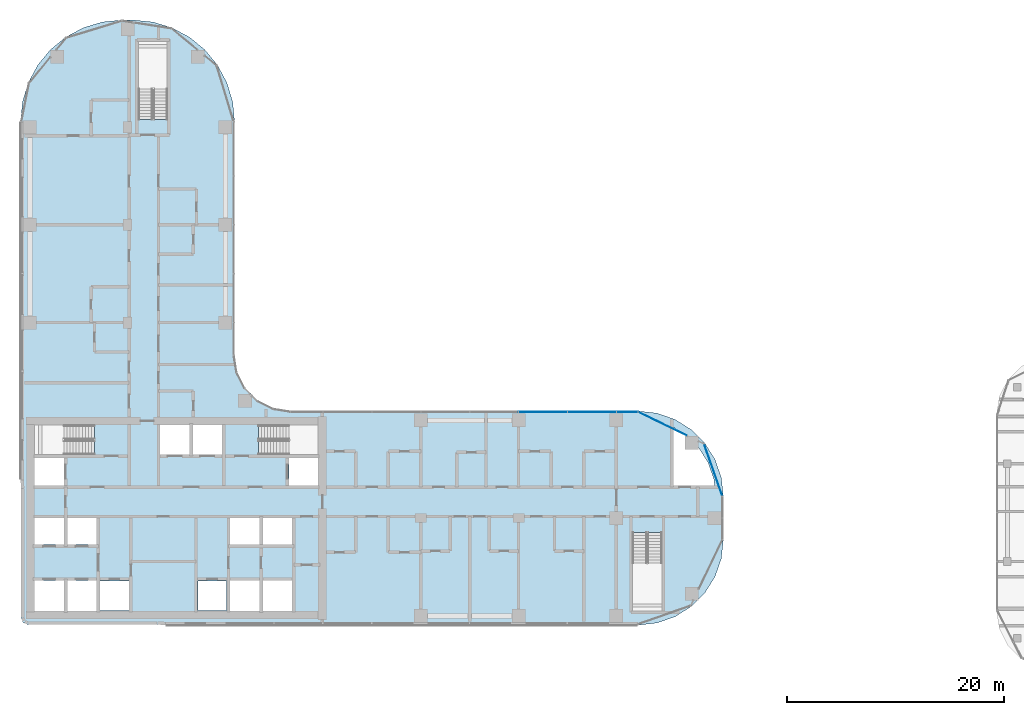
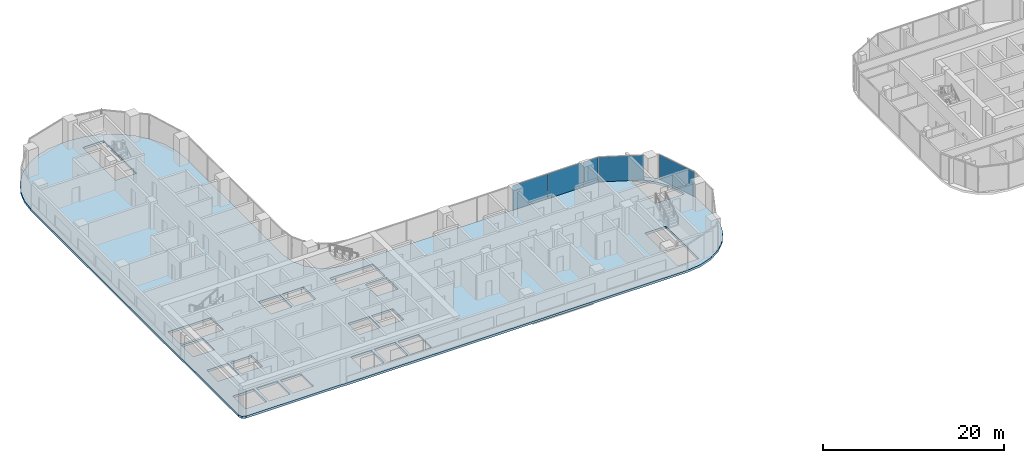
# One storey, part 13 of 35: 5 plates, 1 slab, 3 elements without a shape of their own.
"""IFC4 building model written with IfcOpenShell, lengths in metres."""

from ifc_helpers import new_model, si_unit, direction, frame, origin, origin_2d, place, context, subcontext, project, spatial, polyline, rectangle, outline, extrude, material, layer, layer_set, type_object, element, aggregate, save


model = new_model("IFC4")

# Units and contexts
model_context = context("Model", 3, precision=1e-05, world=origin(), true_north=direction((0.0, 1.0)))
body_context = subcontext(model_context, "Body", "Model", "MODEL_VIEW")
ifc_project = project(units=[si_unit("LENGTHUNIT", "METRE"), si_unit("AREAUNIT", "SQUARE_METRE"), si_unit("VOLUMEUNIT", "CUBIC_METRE"), si_unit("PLANEANGLEUNIT", "RADIAN"), si_unit("MASSUNIT", "GRAM", prefix="KILO")], contexts=[model_context])

# Site, building, storey
site_placement = place(None, origin())
site = spatial("IfcSite", under=ifc_project, at=site_placement, CompositionType="ELEMENT")
building_placement = place(site_placement, origin())
building = spatial("IfcBuilding", under=site, at=building_placement, Name="Ogive Portal Towers", CompositionType="ELEMENT")
storey_placement = place(building_placement, frame((0.0, 0.0, 94.5)))
storey = spatial("IfcBuildingStorey", under=building, at=storey_placement, Name="L22", CompositionType="ELEMENT", Elevation=94.5)

# Curtain wall, plates
ifc_material_1 = material(Name="Glass, clear low-iron insulated glazing", Category="glass")
curtain_wall_type = type_object("IfcCurtainWallType", Name="CW FRONT RIBBON 4500", PredefinedType="NOTDEFINED", material=ifc_material_1)
curtain_wall_1_placement = place(storey_placement, origin())
curtain_wall_1 = element("IfcCurtainWall", 1, at=curtain_wall_1_placement, inside=storey, type_object=curtain_wall_type, Name="A:L22:f11:cw0", PredefinedType="NOTDEFINED")
ifc_layer_1 = layer(ifc_material_1, 0.028076171875)
ifc_layer_set_1 = layer_set([ifc_layer_1], Name="CW PANEL IGU 28")
plate_type = type_object("IfcPlateType", Name="CW PANEL IGU 28", PredefinedType="CURTAIN_PANEL", material=ifc_layer_set_1)
plate_1_placement = place(storey_placement, frame((86.490966796875, 40.27490234375, 0.0), z_axis=(0.0, 0.0, 1.0), x_axis=(-1.0, 0.0, 0.0)))
plate_1 = element("IfcPlate", 2, at=plate_1_placement, type_object=plate_type, Name="panel", PredefinedType="CURTAIN_PANEL", context=body_context, shape_type="SweptSolid", body=[
    extrude(rectangle(XDim=1.921630859375, YDim=0.028076171875, at=origin_2d()), origin(), (0.0, 0.0, 1.0), 3.340087890625),
])
plate_2_placement = place(storey_placement, frame((83.25, 40.27490234375, 0.0), z_axis=(0.0, 0.0, 1.0), x_axis=(-1.0, 0.0, 0.0)))
plate_2 = element("IfcPlate", 3, at=plate_2_placement, type_object=plate_type, Name="panel", PredefinedType="CURTAIN_PANEL", context=body_context, shape_type="SweptSolid", body=[
    extrude(rectangle(XDim=4.43994140625, YDim=0.028076171875, at=origin_2d()), origin(), (0.0, 0.0, 1.0), 3.340087890625),
])
plate_3_placement = place(storey_placement, frame((78.75, 40.27490234375, 0.0), z_axis=(0.0, 0.0, 1.0), x_axis=(-1.0, 0.0, 0.0)))
plate_3 = element("IfcPlate", 4, at=plate_3_placement, type_object=plate_type, Name="panel", PredefinedType="CURTAIN_PANEL", context=body_context, shape_type="SweptSolid", body=[
    extrude(rectangle(XDim=4.43994140625, YDim=0.028076171875, at=origin_2d()), origin(), (0.0, 0.0, 1.0), 3.340087890625),
])
aggregate(curtain_wall_1, [plate_1, plate_2, plate_3])

# Curtain wall, plate
curtain_wall_2_placement = place(storey_placement, origin())
curtain_wall_2 = element("IfcCurtainWall", 5, at=curtain_wall_2_placement, inside=storey, type_object=curtain_wall_type, Name="A:L22:f09:cwa~0", PredefinedType="NOTDEFINED")
plate_4_placement = place(storey_placement, frame((94.42578125, 34.9130859375, 0.0), z_axis=(0.0, 0.0, 1.0), x_axis=(-0.33027906196, 0.943883330307, 0.0)))
plate_4 = element("IfcPlate", 6, at=plate_4_placement, type_object=plate_type, Name="panel", PredefinedType="CURTAIN_PANEL", context=body_context, shape_type="SweptSolid", body=[
    extrude(rectangle(XDim=5.08203125, YDim=0.028076171875, at=origin_2d()), origin(), (0.0, 0.0, 1.0), 3.340087890625),
])
aggregate(curtain_wall_2, [plate_4])

curtain_wall_3_placement = place(storey_placement, origin())
curtain_wall_3 = element("IfcCurtainWall", 7, at=curtain_wall_3_placement, inside=storey, type_object=curtain_wall_type, Name="A:L22:f09:cwa~1", PredefinedType="NOTDEFINED")
plate_5_placement = place(storey_placement, frame((89.765869140625, 39.175048828125, 0.0), z_axis=(0.0, 0.0, 1.0), x_axis=(-0.900968867905, 0.433883739113, 0.0)))
plate_5 = element("IfcPlate", 8, at=plate_5_placement, type_object=plate_type, Name="panel", PredefinedType="CURTAIN_PANEL", context=body_context, shape_type="SweptSolid", body=[
    extrude(rectangle(XDim=5.010498046875, YDim=0.028076171875, at=origin_2d()), origin(), (0.0, 0.0, 1.0), 3.340087890625),
])
aggregate(curtain_wall_3, [plate_5])

# Slab
ifc_material_2 = material(Name="Concrete C45/55", Category="concrete")
ifc_layer_2 = layer(ifc_material_2, 0.300048828125)
ifc_layer_set_2 = layer_set([ifc_layer_2], Name="PT FLAT PLATE 300")
slab_type = type_object("IfcSlabType", Name="PT FLAT PLATE 300", PredefinedType="FLOOR", material=ifc_layer_set_2)
slab_placement = place(storey_placement, frame((0.0, 0.0, -0.300048828125)))
element("IfcSlab", 9, at=slab_placement, inside=storey, type_object=slab_type, Name="Floor slab L22", PredefinedType="FLOOR", context=body_context, shape_type="SweptSolid", body=[
    extrude(outline(polyline([(30.64501953125, 67.0), (30.64501953125, 34.0), (30.699951171875, 33.23095703125), (30.699951171875, 21.300048828125), (30.875732421875, 20.875732421875), (31.300048828125, 20.699951171875), (43.23095703125, 20.699951171875), (44.0, 20.64501953125), (87.5, 20.64501953125), (89.247802734375, 20.841796875), (90.908203125, 21.4228515625), (92.3974609375, 22.358642578125), (93.641357421875, 23.6025390625), (94.5771484375, 25.091796875), (95.158203125, 26.752197265625), (95.35498046875, 28.5), (95.35498046875, 32.5), (95.158203125, 34.247802734375), (94.5771484375, 35.908203125), (93.641357421875, 37.3974609375), (92.3974609375, 38.641357421875), (90.908203125, 39.5771484375), (89.247802734375, 40.158203125), (87.5, 40.35498046875), (55.5, 40.35498046875), (53.91015625, 40.606689453125), (52.475830078125, 41.337646484375), (51.337646484375, 42.475830078125), (50.606689453125, 43.91015625), (50.35498046875, 45.5), (50.35498046875, 67.0), (50.17529296875, 68.8251953125), (49.642822265625, 70.580078125), (48.7783203125, 72.197509765625), (47.614990234375, 73.614990234375), (46.197509765625, 74.7783203125), (44.580078125, 75.642822265625), (42.8251953125, 76.17529296875), (41.0, 76.35498046875), (40.0, 76.35498046875), (38.1748046875, 76.17529296875), (36.419921875, 75.642822265625), (34.802490234375, 74.7783203125), (33.385009765625, 73.614990234375), (32.2216796875, 72.197509765625), (31.357177734375, 70.580078125), (30.82470703125, 68.8251953125), (30.64501953125, 67.0)]), holes=[polyline([(34.64990234375, 24.75), (34.64990234375, 21.949951171875), (31.949951171875, 21.949951171875), (31.949951171875, 24.75), (34.64990234375, 24.75)]), polyline([(37.64990234375, 24.75), (37.64990234375, 21.949951171875), (34.949951171875, 21.949951171875), (34.949951171875, 24.75), (37.64990234375, 24.75)]), polyline([(40.6298828125, 21.969970703125), (37.969970703125, 21.969970703125), (37.969970703125, 24.72998046875), (40.6298828125, 24.72998046875), (40.6298828125, 21.969970703125)]), polyline([(46.969970703125, 21.969970703125), (46.969970703125, 24.72998046875), (49.6298828125, 24.72998046875), (49.6298828125, 21.969970703125), (46.969970703125, 21.969970703125)]), polyline([(34.64990234375, 28.050048828125), (31.949951171875, 28.050048828125), (31.949951171875, 30.5), (34.64990234375, 30.5), (34.64990234375, 28.050048828125)]), polyline([(37.64990234375, 30.5), (37.64990234375, 28.050048828125), (34.949951171875, 28.050048828125), (34.949951171875, 30.5), (37.64990234375, 30.5)]), polyline([(34.64990234375, 36.050048828125), (34.64990234375, 33.5), (31.949951171875, 33.5), (31.949951171875, 36.050048828125), (34.64990234375, 36.050048828125)]), polyline([(31.951904296875, 39.048095703125), (37.447998046875, 39.048095703125), (37.447998046875, 36.35205078125), (31.951904296875, 36.35205078125), (31.951904296875, 39.048095703125)]), polyline([(46.199951171875, 36.35009765625), (43.5, 36.35009765625), (43.5, 39.050048828125), (46.199951171875, 39.050048828125), (46.199951171875, 36.35009765625)]), polyline([(49.199951171875, 36.35009765625), (46.5, 36.35009765625), (46.5, 39.050048828125), (49.199951171875, 39.050048828125), (49.199951171875, 36.35009765625)]), polyline([(44.197998046875, 74.447998046875), (44.197998046875, 67.201904296875), (41.501953125, 67.201904296875), (41.501953125, 74.447998046875), (44.197998046875, 74.447998046875)]), polyline([(52.64990234375, 24.75), (52.64990234375, 21.949951171875), (49.949951171875, 21.949951171875), (49.949951171875, 24.75), (52.64990234375, 24.75)]), polyline([(55.64990234375, 21.949951171875), (52.949951171875, 21.949951171875), (52.949951171875, 24.75), (55.64990234375, 24.75), (55.64990234375, 21.949951171875)]), polyline([(87.001953125, 29.16796875), (89.697998046875, 29.16796875), (89.697998046875, 21.951904296875), (87.001953125, 21.951904296875), (87.001953125, 29.16796875)]), polyline([(52.64990234375, 30.5), (52.64990234375, 28.050048828125), (49.949951171875, 28.050048828125), (49.949951171875, 30.5), (52.64990234375, 30.5)]), polyline([(55.64990234375, 28.050048828125), (52.949951171875, 28.050048828125), (52.949951171875, 30.5), (55.64990234375, 30.5), (55.64990234375, 28.050048828125)]), polyline([(58.050048828125, 36.050048828125), (58.050048828125, 33.5), (55.35009765625, 33.5), (55.35009765625, 36.050048828125), (58.050048828125, 36.050048828125)]), polyline([(93.9423828125, 35.6025390625), (94.47119140625, 34.09130859375), (94.53564453125, 33.52001953125), (90.77001953125, 33.52001953125), (90.77001953125, 38.837158203125), (91.958251953125, 38.090576171875), (93.090576171875, 36.958251953125), (93.9423828125, 35.6025390625)]), polyline([(52.552001953125, 36.35205078125), (52.552001953125, 39.048095703125), (58.048095703125, 39.048095703125), (58.048095703125, 36.35205078125), (52.552001953125, 36.35205078125)])]), origin(), (0.0, 0.0, 1.0), 0.300048828125),
])

save(model, "model.ifc")
